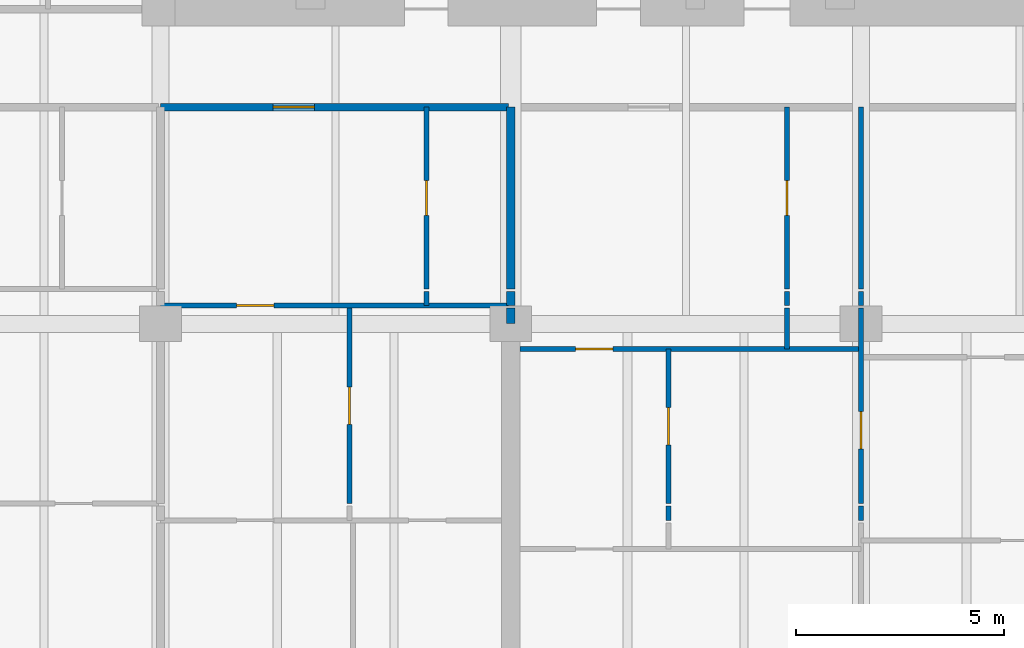
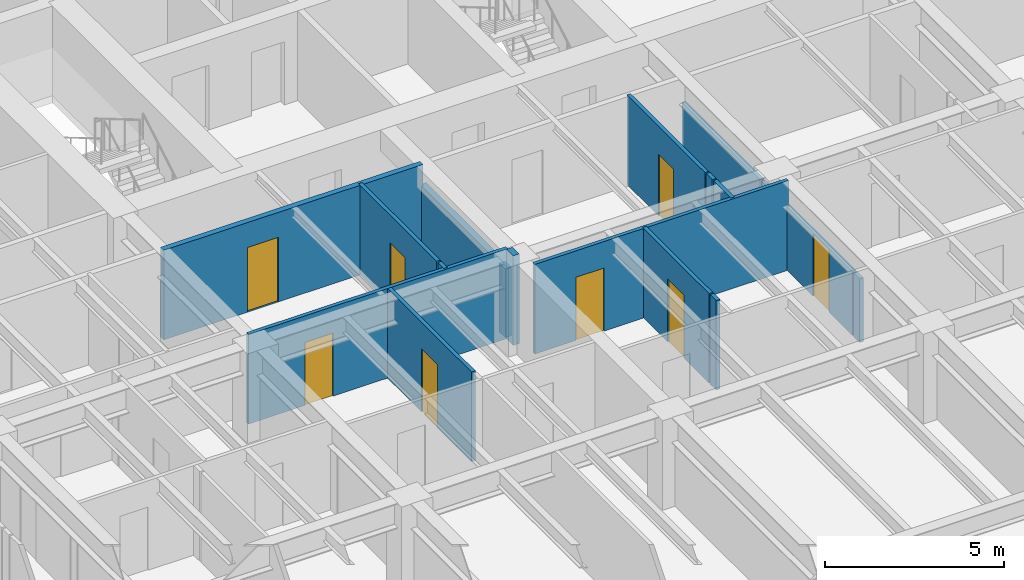
# One storey, part 7 of 17: 18 walls, 8 doors, 8 openings.
"""IFC4 building model written with IfcOpenShell, lengths in metres."""

from ifc_helpers import new_model, si_unit, direction, frame, frame_2d, origin, place, context, subcontext, project, spatial, rectangle, extrude, material, layer, layer_set, type_object, element, fill, save


model = new_model("IFC4")

# Units and contexts
model_context = context("Model", 3, precision=1e-05, world=origin(), true_north=direction((0.0, 1.0)))
body_context = subcontext(model_context, "Body", "Model", "MODEL_VIEW")
ifc_project = project(units=[si_unit("LENGTHUNIT", "METRE"), si_unit("AREAUNIT", "SQUARE_METRE"), si_unit("VOLUMEUNIT", "CUBIC_METRE"), si_unit("PLANEANGLEUNIT", "RADIAN"), si_unit("MASSUNIT", "GRAM", prefix="KILO")], contexts=[model_context])

# Site, building, storey
site_placement = place(None, origin())
site = spatial("IfcSite", under=ifc_project, at=site_placement, CompositionType="ELEMENT")
building_placement = place(site_placement, origin())
building = spatial("IfcBuilding", under=site, at=building_placement, Name="Caelmar Bay Residences", CompositionType="ELEMENT")
storey_placement = place(building_placement, frame((0.0, 0.0, 105.89990234375)))
storey = spatial("IfcBuildingStorey", under=building, at=storey_placement, Name="L28", CompositionType="ELEMENT", Elevation=105.89990234375)

# Wall, opening, door
ifc_material_1 = material(Name="Double-stud acoustic fire-rated gypsum partition 180 mm")
ifc_layer_1 = layer(ifc_material_1, 0.179931640625)
ifc_layer_set_1 = layer_set([ifc_layer_1], Name="Double-stud acoustic fire-rated gypsum partition 180 mm")
wall_type_1 = type_object("IfcWallType", Name="W-COR-200", PredefinedType="PARTITIONING", material=ifc_layer_set_1)
wall_1_placement = place(storey_placement, frame((18.300048828125, 34.60009765625, 0.0), z_axis=(0.0, 0.0, 1.0), x_axis=(1.0, 0.0, 0.0)))
wall_1 = element("IfcWall", 1, at=wall_1_placement, inside=storey, type_object=wall_type_1, Name="L28 Partition Wall H141", PredefinedType="PARTITIONING", context=body_context, shape_type="SweptSolid", body=[
    extrude(rectangle(XDim=8.349853515625, YDim=0.179931640625, at=frame_2d((4.1748046875, 0.0))), origin(), (0.0, 0.0, 1.0), 3.050048828125),
])
opening_1_placement = place(wall_1_placement, frame((2.69140625, 0.0, 0.0)))
opening_1 = element("IfcOpeningElement", 2, at=opening_1_placement, cuts=wall_1, Name="Opening D-L28-132", PredefinedType="OPENING", context=body_context, shape_type="SweptSolid", body=[
    extrude(rectangle(XDim=1.0, YDim=2.199951171875, at=frame_2d((0.5, 1.10009765625))), frame((0.0, 0.099853515625, 0.0), z_axis=(0.0, -1.0, 0.0), x_axis=(1.0, 0.0, 0.0)), (0.0, 0.0, 1.0), 0.199951171875),
])
ifc_material_2 = material(Name="Fire-rated steel and walnut architectural door assembly", Category="steel")
ifc_layer_2 = layer(ifc_material_2, 0.050048828125)
ifc_layer_set_2 = layer_set([ifc_layer_2], Name="Fire-rated steel and walnut architectural door assembly")
door_type_1 = type_object("IfcDoorType", Name="D-UNIT-1000", OperationType="NOTDEFINED", PredefinedType="DOOR", material=ifc_layer_set_2)
door_1_placement = place(opening_1_placement, origin())
door_1 = element("IfcDoor", 3, at=door_1_placement, inside=storey, type_object=door_type_1, Name="L28 Residence 02 Apartment Hall Door", OperationType="SINGLE_SWING_RIGHT", OverallHeight=2.199951171875, OverallWidth=1.0, PredefinedType="DOOR", context=body_context, shape_type="SweptSolid", body=[
    extrude(rectangle(XDim=1.0, YDim=2.199951171875, at=frame_2d((0.5, 1.10009765625))), frame((0.0, 0.02490234375, 0.0), z_axis=(0.0, -1.0, 0.0), x_axis=(1.0, 0.0, 0.0)), (0.0, 0.0, 1.0), 0.050048828125),
])
fill(opening_1, door_1)

ifc_material_3 = material(Name="Acoustic metal-stud gypsum partition 120 mm")
ifc_layer_3 = layer(ifc_material_3, 0.1201171875)
ifc_layer_set_3 = layer_set([ifc_layer_3], Name="Acoustic metal-stud gypsum partition 120 mm")
wall_type_2 = type_object("IfcWallType", Name="W-PRT-120", PredefinedType="PARTITIONING", material=ifc_layer_set_3)
wall_2_placement = place(storey_placement, frame((22.8359375, 25.090087890625, 0.0), z_axis=(0.0, 0.0, 1.0), x_axis=(0.0, 1.0, 0.0)))
wall_2 = element("IfcWall", 4, at=wall_2_placement, inside=storey, type_object=wall_type_2, Name="L28 Partition Wall V031", PredefinedType="PARTITIONING", context=body_context, shape_type="SweptSolid", body=[
    extrude(rectangle(XDim=4.68994140625, YDim=0.1201171875, at=frame_2d((2.344970703125, 0.0))), origin(), (0.0, 0.0, 1.0), 3.050048828125),
])
opening_2_placement = place(wall_2_placement, frame((1.89501953125, 0.0, 0.0)))
opening_2 = element("IfcOpeningElement", 5, at=opening_2_placement, cuts=wall_2, Name="Opening D-L28-135", PredefinedType="OPENING", context=body_context, shape_type="SweptSolid", body=[
    extrude(rectangle(XDim=0.89990234375, YDim=2.14990234375, at=frame_2d((0.449951171875, 1.074951171875))), frame((0.0, 0.070068359375, 0.0), z_axis=(0.0, -1.0, 0.0), x_axis=(1.0, 0.0, 0.0)), (0.0, 0.0, 1.0), 0.14013671875),
])
ifc_material_4 = material(Name="Solid walnut timber interior door leaf and frame", Category="wood")
ifc_layer_4 = layer(ifc_material_4, 0.050048828125)
ifc_layer_set_4 = layer_set([ifc_layer_4], Name="Solid walnut timber interior door leaf and frame")
door_type_2 = type_object("IfcDoorType", Name="D-ROOM-900", OperationType="NOTDEFINED", PredefinedType="DOOR", material=ifc_layer_set_4)
door_2_placement = place(opening_2_placement, origin())
door_2 = element("IfcDoor", 6, at=door_2_placement, inside=storey, type_object=door_type_2, Name="L28 Residence 02 Formal Dining Room Door", OperationType="SINGLE_SWING_LEFT", OverallHeight=2.14990234375, OverallWidth=0.89990234375, PredefinedType="DOOR", context=body_context, shape_type="SweptSolid", body=[
    extrude(rectangle(XDim=0.89990234375, YDim=2.14990234375, at=frame_2d((0.449951171875, 1.074951171875))), frame((0.0, 0.02490234375, 0.0), z_axis=(0.0, -1.0, 0.0), x_axis=(1.0, 0.0, 0.0)), (0.0, 0.0, 1.0), 0.050048828125),
])
fill(opening_2, door_2)

# Wall
wall_3_placement = place(storey_placement, frame((24.68310546875, 29.840087890625, 0.0), z_axis=(0.0, 0.0, 1.0), x_axis=(0.0, 1.0, 0.0)))
element("IfcWall", 7, at=wall_3_placement, inside=storey, type_object=wall_type_2, Name="L28 Partition Wall V034", PredefinedType="PARTITIONING", context=body_context, shape_type="SweptSolid", body=[
    extrude(rectangle(XDim=0.33984375, YDim=0.1201171875, at=frame_2d((0.169921875, 0.0))), origin(), (0.0, 0.0, 1.0), 3.050048828125),
])

# Wall, opening, door
wall_4_placement = place(storey_placement, frame((24.68310546875, 30.239990234375, 0.0), z_axis=(0.0, 0.0, 1.0), x_axis=(0.0, 1.0, 0.0)))
wall_4 = element("IfcWall", 8, at=wall_4_placement, inside=storey, type_object=wall_type_2, Name="L28 Partition Wall V035", PredefinedType="PARTITIONING", context=body_context, shape_type="SweptSolid", body=[
    extrude(rectangle(XDim=4.360107421875, YDim=0.1201171875, at=frame_2d((2.18017578125, 0.0))), origin(), (0.0, 0.0, 1.0), 3.050048828125),
])
opening_3_placement = place(wall_4_placement, frame((1.7548828125, 0.0, 0.0)))
opening_3 = element("IfcOpeningElement", 9, at=opening_3_placement, cuts=wall_4, Name="Opening D-L28-133", PredefinedType="OPENING", context=body_context, shape_type="SweptSolid", body=[
    extrude(rectangle(XDim=0.85009765625, YDim=2.10009765625, at=frame_2d((0.425048828125, 1.050048828125))), frame((0.0, 0.070068359375, 0.0), z_axis=(0.0, -1.0, 0.0), x_axis=(1.0, 0.0, 0.0)), (0.0, 0.0, 1.0), 0.14013671875),
])
ifc_layer_5 = layer(ifc_material_4, 0.050048828125)
ifc_layer_set_5 = layer_set([ifc_layer_5], Name="Solid walnut timber interior door leaf and frame")
door_type_3 = type_object("IfcDoorType", Name="D-BATH-850", OperationType="NOTDEFINED", PredefinedType="DOOR", material=ifc_layer_set_5)
door_3_placement = place(opening_3_placement, origin())
door_3 = element("IfcDoor", 10, at=door_3_placement, inside=storey, type_object=door_type_3, Name="L28 Residence 02 Bathroom Door", OperationType="SINGLE_SWING_LEFT", OverallHeight=2.10009765625, OverallWidth=0.85009765625, PredefinedType="DOOR", context=body_context, shape_type="SweptSolid", body=[
    extrude(rectangle(XDim=0.85009765625, YDim=2.10009765625, at=frame_2d((0.425048828125, 1.050048828125))), frame((0.0, 0.02490234375, 0.0), z_axis=(0.0, -1.0, 0.0), x_axis=(1.0, 0.0, 0.0)), (0.0, 0.0, 1.0), 0.050048828125),
])
fill(opening_3, door_3)

# Wall
wall_5_placement = place(storey_placement, frame((30.47998046875, 24.68994140625, 0.0), z_axis=(0.0, 0.0, 1.0), x_axis=(0.0, 1.0, 0.0)))
element("IfcWall", 11, at=wall_5_placement, inside=storey, type_object=wall_type_2, Name="L28 Partition Wall V046", PredefinedType="PARTITIONING", context=body_context, shape_type="SweptSolid", body=[
    extrude(rectangle(XDim=0.340087890625, YDim=0.1201171875, at=frame_2d((0.169921875, 0.0))), origin(), (0.0, 0.0, 1.0), 3.050048828125),
])

# Wall, opening, door
wall_6_placement = place(storey_placement, frame((30.47998046875, 25.090087890625, 0.0), z_axis=(0.0, 0.0, 1.0), x_axis=(0.0, 1.0, 0.0)))
wall_6 = element("IfcWall", 12, at=wall_6_placement, inside=storey, type_object=wall_type_2, Name="L28 Partition Wall V047", PredefinedType="PARTITIONING", context=body_context, shape_type="SweptSolid", body=[
    extrude(rectangle(XDim=3.7099609375, YDim=0.1201171875, at=frame_2d((1.85498046875, 0.0))), origin(), (0.0, 0.0, 1.0), 3.050048828125),
])
opening_4_placement = place(wall_6_placement, frame((1.405029296875, 0.0, 0.0)))
opening_4 = element("IfcOpeningElement", 13, at=opening_4_placement, cuts=wall_6, Name="Opening D-L28-142", PredefinedType="OPENING", context=body_context, shape_type="SweptSolid", body=[
    extrude(rectangle(XDim=0.89990234375, YDim=2.14990234375, at=frame_2d((0.449951171875, 1.074951171875))), frame((0.0, 0.070068359375, 0.0), z_axis=(0.0, -1.0, 0.0), x_axis=(1.0, 0.0, 0.0)), (0.0, 0.0, 1.0), 0.14013671875),
])
door_4_placement = place(opening_4_placement, origin())
door_4 = element("IfcDoor", 14, at=door_4_placement, inside=storey, type_object=door_type_2, Name="L28 Residence 03 Kitchen Door", OperationType="SINGLE_SWING_RIGHT", OverallHeight=2.14990234375, OverallWidth=0.89990234375, PredefinedType="DOOR", context=body_context, shape_type="SweptSolid", body=[
    extrude(rectangle(XDim=0.89990234375, YDim=2.14990234375, at=frame_2d((0.449951171875, 1.074951171875))), frame((0.0, 0.02490234375, 0.0), z_axis=(0.0, -1.0, 0.0), x_axis=(1.0, 0.0, 0.0)), (0.0, 0.0, 1.0), 0.050048828125),
])
fill(opening_4, door_4)

# Walls
wall_7_placement = place(storey_placement, frame((33.323974609375, 28.800048828125, 0.0), z_axis=(0.0, 0.0, 1.0), x_axis=(0.0, 1.0, 0.0)))
element("IfcWall", 15, at=wall_7_placement, inside=storey, type_object=wall_type_2, Name="L28 Partition Wall V049", PredefinedType="PARTITIONING", context=body_context, shape_type="SweptSolid", body=[
    extrude(rectangle(XDim=0.97998046875, YDim=0.1201171875, at=frame_2d((0.489990234375, 0.0))), origin(), (0.0, 0.0, 1.0), 3.050048828125),
])
wall_8_placement = place(storey_placement, frame((33.323974609375, 29.840087890625, 0.0), z_axis=(0.0, 0.0, 1.0), x_axis=(0.0, 1.0, 0.0)))
element("IfcWall", 16, at=wall_8_placement, inside=storey, type_object=wall_type_2, Name="L28 Partition Wall V050", PredefinedType="PARTITIONING", context=body_context, shape_type="SweptSolid", body=[
    extrude(rectangle(XDim=0.33984375, YDim=0.1201171875, at=frame_2d((0.169921875, 0.0))), origin(), (0.0, 0.0, 1.0), 3.050048828125),
])

# Wall, opening, door
wall_9_placement = place(storey_placement, frame((33.323974609375, 30.239990234375, 0.0), z_axis=(0.0, 0.0, 1.0), x_axis=(0.0, 1.0, 0.0)))
wall_9 = element("IfcWall", 17, at=wall_9_placement, inside=storey, type_object=wall_type_2, Name="L28 Partition Wall V051", PredefinedType="PARTITIONING", context=body_context, shape_type="SweptSolid", body=[
    extrude(rectangle(XDim=4.360107421875, YDim=0.1201171875, at=frame_2d((2.18017578125, 0.0))), origin(), (0.0, 0.0, 1.0), 3.050048828125),
])
opening_5_placement = place(wall_9_placement, frame((1.7548828125, 0.0, 0.0)))
opening_5 = element("IfcOpeningElement", 18, at=opening_5_placement, cuts=wall_9, Name="Opening D-L28-140", PredefinedType="OPENING", context=body_context, shape_type="SweptSolid", body=[
    extrude(rectangle(XDim=0.85009765625, YDim=2.10009765625, at=frame_2d((0.425048828125, 1.050048828125))), frame((0.0, 0.070068359375, 0.0), z_axis=(0.0, -1.0, 0.0), x_axis=(1.0, 0.0, 0.0)), (0.0, 0.0, 1.0), 0.14013671875),
])
door_5_placement = place(opening_5_placement, origin())
door_5 = element("IfcDoor", 19, at=door_5_placement, inside=storey, type_object=door_type_3, Name="L28 Residence 03 Guest Bathroom Door", OperationType="SINGLE_SWING_RIGHT", OverallHeight=2.10009765625, OverallWidth=0.85009765625, PredefinedType="DOOR", context=body_context, shape_type="SweptSolid", body=[
    extrude(rectangle(XDim=0.85009765625, YDim=2.10009765625, at=frame_2d((0.425048828125, 1.050048828125))), frame((0.0, 0.02490234375, 0.0), z_axis=(0.0, -1.0, 0.0), x_axis=(1.0, 0.0, 0.0)), (0.0, 0.0, 1.0), 0.050048828125),
])
fill(opening_5, door_5)

# Wall
wall_10_placement = place(storey_placement, frame((35.10009765625, 24.68994140625, 0.0), z_axis=(0.0, 0.0, 1.0), x_axis=(0.0, 1.0, 0.0)))
element("IfcWall", 20, at=wall_10_placement, inside=storey, type_object=wall_type_2, Name="L28 Partition Wall V054", PredefinedType="PARTITIONING", context=body_context, shape_type="SweptSolid", body=[
    extrude(rectangle(XDim=0.340087890625, YDim=0.1201171875, at=frame_2d((0.169921875, 0.0))), origin(), (0.0, 0.0, 1.0), 2.174072265625),
])

# Wall, opening, door
wall_11_placement = place(storey_placement, frame((35.10009765625, 25.090087890625, 0.0), z_axis=(0.0, 0.0, 1.0), x_axis=(0.0, 1.0, 0.0)))
wall_11 = element("IfcWall", 21, at=wall_11_placement, inside=storey, type_object=wall_type_2, Name="L28 Partition Wall V055", PredefinedType="PARTITIONING", context=body_context, shape_type="SweptSolid", body=[
    extrude(rectangle(XDim=4.68994140625, YDim=0.1201171875, at=frame_2d((2.344970703125, 0.0))), origin(), (0.0, 0.0, 1.0), 2.174072265625),
])
opening_6_placement = place(wall_11_placement, frame((1.304931640625, 0.0, 0.0)))
opening_6 = element("IfcOpeningElement", 22, at=opening_6_placement, cuts=wall_11, Name="Opening D-L28-144", PredefinedType="OPENING", context=body_context, shape_type="SweptSolid", body=[
    extrude(rectangle(XDim=0.89990234375, YDim=2.1240234375, at=frame_2d((0.449951171875, 1.06201171875))), frame((0.0, 0.070068359375, 0.0), z_axis=(0.0, -1.0, 0.0), x_axis=(1.0, 0.0, 0.0)), (0.0, 0.0, 1.0), 0.14013671875),
])
door_6_placement = place(opening_6_placement, origin())
door_6 = element("IfcDoor", 23, at=door_6_placement, inside=storey, type_object=door_type_2, Name="L28 Residence 03 Formal Dining Room 1 Door", OperationType="SINGLE_SWING_RIGHT", OverallHeight=2.1240234375, OverallWidth=0.89990234375, PredefinedType="DOOR", context=body_context, shape_type="SweptSolid", body=[
    extrude(rectangle(XDim=0.89990234375, YDim=2.1240234375, at=frame_2d((0.449951171875, 1.06201171875))), frame((0.0, 0.02490234375, 0.0), z_axis=(0.0, -1.0, 0.0), x_axis=(1.0, 0.0, 0.0)), (0.0, 0.0, 1.0), 0.050048828125),
])
fill(opening_6, door_6)

# Walls
wall_12_placement = place(storey_placement, frame((35.10009765625, 29.840087890625, 0.0), z_axis=(0.0, 0.0, 1.0), x_axis=(0.0, 1.0, 0.0)))
element("IfcWall", 24, at=wall_12_placement, inside=storey, type_object=wall_type_2, Name="L28 Partition Wall V056", PredefinedType="PARTITIONING", context=body_context, shape_type="SweptSolid", body=[
    extrude(rectangle(XDim=0.33984375, YDim=0.1201171875, at=frame_2d((0.169921875, 0.0))), origin(), (0.0, 0.0, 1.0), 2.174072265625),
])
wall_13_placement = place(storey_placement, frame((35.10009765625, 30.239990234375, 0.0), z_axis=(0.0, 0.0, 1.0), x_axis=(0.0, 1.0, 0.0)))
element("IfcWall", 25, at=wall_13_placement, inside=storey, type_object=wall_type_2, Name="L28 Partition Wall V057", PredefinedType="PARTITIONING", context=body_context, shape_type="SweptSolid", body=[
    extrude(rectangle(XDim=4.360107421875, YDim=0.1201171875, at=frame_2d((2.18017578125, 0.0))), origin(), (0.0, 0.0, 1.0), 2.174072265625),
])

# Wall, opening, door
wall_14_placement = place(storey_placement, frame((26.919921875, 28.800048828125, 0.0), z_axis=(0.0, 0.0, 1.0), x_axis=(1.0, 0.0, 0.0)))
wall_14 = element("IfcWall", 26, at=wall_14_placement, inside=storey, type_object=wall_type_2, Name="L28 Partition Wall H133", PredefinedType="PARTITIONING", context=body_context, shape_type="SweptSolid", body=[
    extrude(rectangle(XDim=8.175048828125, YDim=0.1201171875, at=frame_2d((4.08740234375, 0.0))), origin(), (0.0, 0.0, 1.0), 3.050048828125),
])
opening_7_placement = place(wall_14_placement, frame((1.330078125, 0.0, 0.0)))
opening_7 = element("IfcOpeningElement", 27, at=opening_7_placement, cuts=wall_14, Name="Opening D-L28-141", PredefinedType="OPENING", context=body_context, shape_type="SweptSolid", body=[
    extrude(rectangle(XDim=0.89990234375, YDim=2.14990234375, at=frame_2d((0.449951171875, 1.074951171875))), frame((0.0, 0.070068359375, 0.0), z_axis=(0.0, -1.0, 0.0), x_axis=(1.0, 0.0, 0.0)), (0.0, 0.0, 1.0), 0.14013671875),
])
door_7_placement = place(opening_7_placement, origin())
door_7 = element("IfcDoor", 28, at=door_7_placement, inside=storey, type_object=door_type_2, Name="L28 Residence 03 Dining Room Door", OperationType="SINGLE_SWING_LEFT", OverallHeight=2.14990234375, OverallWidth=0.89990234375, PredefinedType="DOOR", context=body_context, shape_type="SweptSolid", body=[
    extrude(rectangle(XDim=0.89990234375, YDim=2.14990234375, at=frame_2d((0.449951171875, 1.074951171875))), frame((0.0, 0.02490234375, 0.0), z_axis=(0.0, -1.0, 0.0), x_axis=(1.0, 0.0, 0.0)), (0.0, 0.0, 1.0), 0.050048828125),
])
fill(opening_7, door_7)

wall_15_placement = place(storey_placement, frame((18.300048828125, 29.840087890625, 0.0), z_axis=(0.0, 0.0, 1.0), x_axis=(1.0, 0.0, 0.0)))
wall_15 = element("IfcWall", 29, at=wall_15_placement, inside=storey, type_object=wall_type_2, Name="L28 Partition Wall H136", PredefinedType="PARTITIONING", context=body_context, shape_type="SweptSolid", body=[
    extrude(rectangle(XDim=8.349853515625, YDim=0.1201171875, at=frame_2d((4.1748046875, 0.0))), origin(), (0.0, 0.0, 1.0), 3.050048828125),
])
opening_8_placement = place(wall_15_placement, frame((1.818115234375, 0.0, 0.0)))
opening_8 = element("IfcOpeningElement", 30, at=opening_8_placement, cuts=wall_15, Name="Opening D-L28-134", PredefinedType="OPENING", context=body_context, shape_type="SweptSolid", body=[
    extrude(rectangle(XDim=0.89990234375, YDim=2.14990234375, at=frame_2d((0.449951171875, 1.074951171875))), frame((0.0, 0.070068359375, 0.0), z_axis=(0.0, -1.0, 0.0), x_axis=(1.0, 0.0, 0.0)), (0.0, 0.0, 1.0), 0.14013671875),
])
door_8_placement = place(opening_8_placement, origin())
door_8 = element("IfcDoor", 31, at=door_8_placement, inside=storey, type_object=door_type_2, Name="L28 Residence 02 Kitchen Door", OperationType="SINGLE_SWING_RIGHT", OverallHeight=2.14990234375, OverallWidth=0.89990234375, PredefinedType="DOOR", context=body_context, shape_type="SweptSolid", body=[
    extrude(rectangle(XDim=0.89990234375, YDim=2.14990234375, at=frame_2d((0.449951171875, 1.074951171875))), frame((0.0, 0.02490234375, 0.0), z_axis=(0.0, -1.0, 0.0), x_axis=(1.0, 0.0, 0.0)), (0.0, 0.0, 1.0), 0.050048828125),
])
fill(opening_8, door_8)

# Walls
ifc_material_5 = material(Name="Acoustic twin-stud fire-rated inter-tenancy partition 200 mm")
ifc_layer_6 = layer(ifc_material_5, 0.199951171875)
ifc_layer_set_6 = layer_set([ifc_layer_6], Name="Acoustic twin-stud fire-rated inter-tenancy partition 200 mm")
wall_type_3 = type_object("IfcWallType", Name="W-PTY-200", PredefinedType="PARTITIONING", material=ifc_layer_set_6)
wall_16_placement = place(storey_placement, frame((26.699951171875, 29.405029296875, 0.0), z_axis=(0.0, 0.0, 1.0), x_axis=(0.0, 1.0, 0.0)))
element("IfcWall", 32, at=wall_16_placement, inside=storey, type_object=wall_type_3, Name="L28 Partition Wall V040", PredefinedType="PARTITIONING", context=body_context, shape_type="SweptSolid", body=[
    extrude(rectangle(XDim=0.375, YDim=0.199951171875, at=frame_2d((0.1875, 0.0))), origin(), (0.0, 0.0, 1.0), 3.050048828125),
])
wall_17_placement = place(storey_placement, frame((26.699951171875, 29.840087890625, 0.0), z_axis=(0.0, 0.0, 1.0), x_axis=(0.0, 1.0, 0.0)))
element("IfcWall", 33, at=wall_17_placement, inside=storey, type_object=wall_type_3, Name="L28 Partition Wall V041", PredefinedType="PARTITIONING", context=body_context, shape_type="SweptSolid", body=[
    extrude(rectangle(XDim=0.33984375, YDim=0.199951171875, at=frame_2d((0.169921875, 0.0))), origin(), (0.0, 0.0, 1.0), 2.335205078125),
])
wall_18_placement = place(storey_placement, frame((26.699951171875, 30.239990234375, 0.0), z_axis=(0.0, 0.0, 1.0), x_axis=(0.0, 1.0, 0.0)))
element("IfcWall", 34, at=wall_18_placement, inside=storey, type_object=wall_type_3, Name="L28 Partition Wall V042", PredefinedType="PARTITIONING", context=body_context, shape_type="SweptSolid", body=[
    extrude(rectangle(XDim=4.360107421875, YDim=0.199951171875, at=frame_2d((2.18017578125, 0.0))), origin(), (0.0, 0.0, 1.0), 2.335205078125),
])

save(model, "model.ifc")
